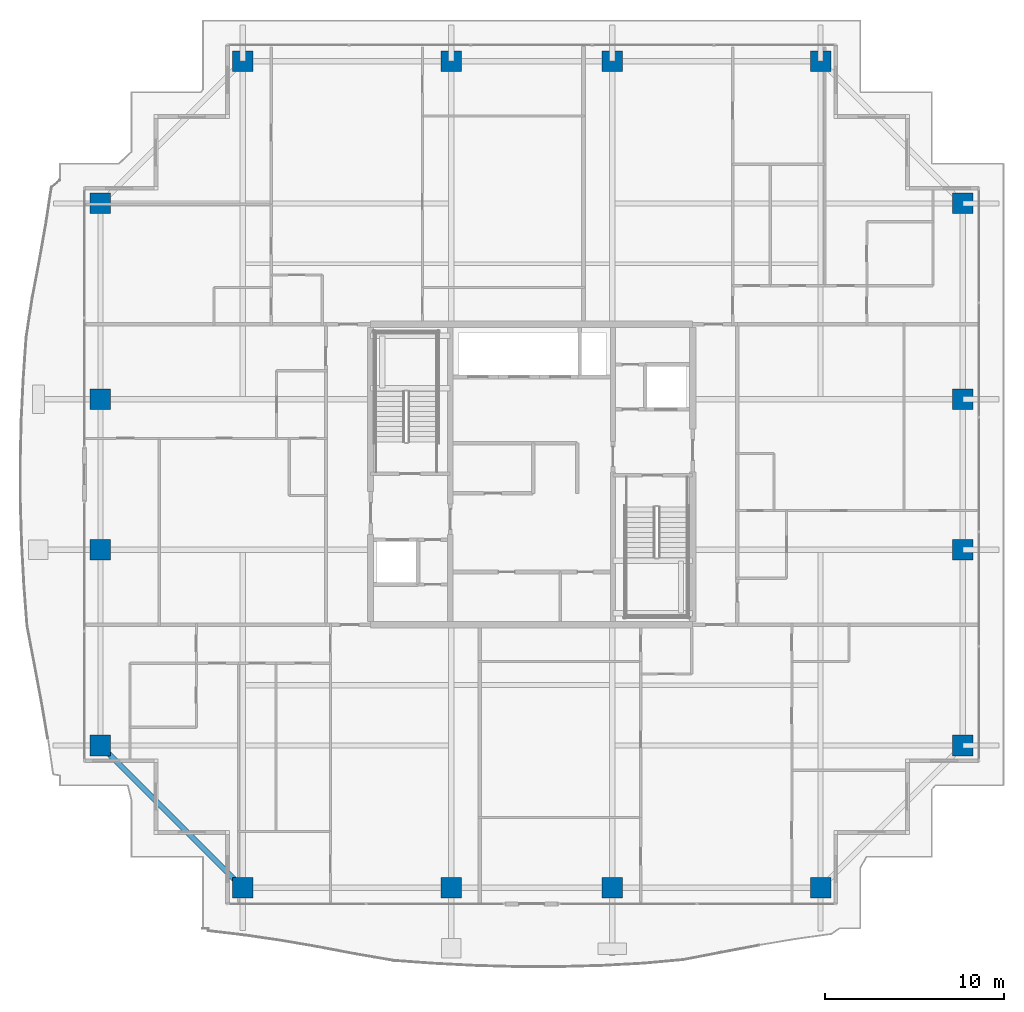
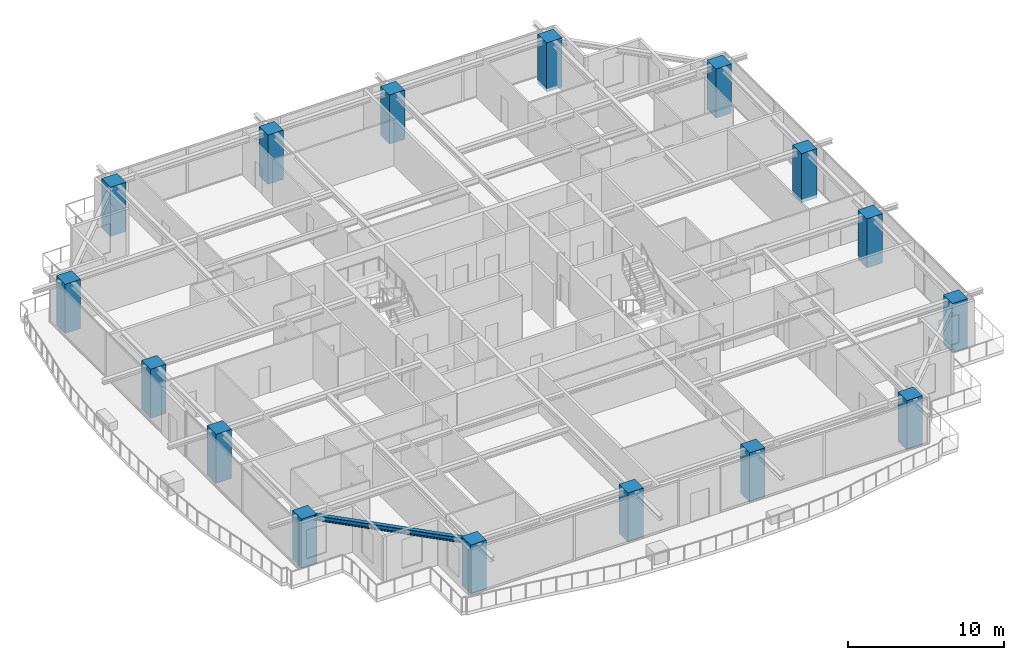
# One storey, part 1 of 35: 16 columns, 1 beam.
"""IFC4 building model written with IfcOpenShell, lengths in metres."""

from ifc_helpers import new_model, si_unit, direction, frame, origin, origin_2d, place, context, subcontext, project, spatial, rectangle, i_section, extrude, source, transform, mapped, material, material_profile, profile_set, type_object, element, save


model = new_model("IFC4")

# Units and contexts
model_context = context("Model", 3, precision=1e-05, world=origin(), true_north=direction((0.0, 1.0)))
body_context = subcontext(model_context, "Body", "Model", "MODEL_VIEW")
ifc_project = project(units=[si_unit("LENGTHUNIT", "METRE"), si_unit("AREAUNIT", "SQUARE_METRE"), si_unit("VOLUMEUNIT", "CUBIC_METRE"), si_unit("PLANEANGLEUNIT", "RADIAN"), si_unit("MASSUNIT", "GRAM", prefix="KILO")], contexts=[model_context])

# Site, building, storey
site_placement = place(None, origin())
site = spatial("IfcSite", under=ifc_project, at=site_placement, CompositionType="ELEMENT")
building_placement = place(site_placement, origin())
building = spatial("IfcBuilding", under=site, at=building_placement, Name="Serunith Strait Residences", CompositionType="ELEMENT")
storey_placement = place(building_placement, frame((0.0, 0.0, 214.300048828125)))
storey = spatial("IfcBuildingStorey", under=building, at=storey_placement, Name="L53", CompositionType="ELEMENT", Elevation=214.300048828125)

# Columns
ifc_material_1 = material(Name="Concrete C80/95", Category="concrete")
ifc_material_profile_1 = material_profile(ifc_material_1, rectangle(XDim=1.14990234375, YDim=1.14990234375, at=origin_2d()), Name="RC 1150x1150")
ifc_profile_set_1 = profile_set([ifc_material_profile_1], Name="Concrete C80/95")
column_type = type_object("IfcColumnType", Name="COL-RC-1150", PredefinedType="COLUMN", material=ifc_profile_set_1)
shared_shape_1 = source(origin(), body_context, "Body", "SweptSolid", [
    extrude(rectangle(XDim=1.14990234375, YDim=1.14990234375, at=origin_2d()), origin(), (0.0, 0.0, 1.0), 3.849853515625),
])
for number, where, z_axis, x_axis, name in (
    (1, (16.25, 2.10009765625, -0.260009765625), (0.0, 0.0, 1.0), (1.0, 0.0, 0.0), "L53 Tower Mega-Column TC-S1"),
    (2, (27.89990234375, 2.10009765625, -0.260009765625), (0.0, 0.0, 1.0), (1.0, 0.0, 0.0), "L53 Tower Mega-Column TC-S2"),
    (3, (36.89990234375, 2.10009765625, -0.260009765625), (0.0, 0.0, 1.0), (1.0, 0.0, 0.0), "L53 Tower Mega-Column TC-S3"),
    (4, (48.550048828125, 2.10009765625, -0.260009765625), (0.0, 0.0, 1.0), (1.0, 0.0, 0.0), "L53 Tower Mega-Column TC-S4"),
    (5, (16.25, 48.300048828125, -0.260009765625), (0.0, 0.0, 1.0), (1.0, 0.0, 0.0), "L53 Tower Mega-Column TC-N1"),
    (6, (27.89990234375, 48.300048828125, -0.260009765625), (0.0, 0.0, 1.0), (1.0, 0.0, 0.0), "L53 Tower Mega-Column TC-N2"),
    (7, (36.89990234375, 48.300048828125, -0.260009765625), (0.0, 0.0, 1.0), (1.0, 0.0, 0.0), "L53 Tower Mega-Column TC-N3"),
    (8, (48.550048828125, 48.300048828125, -0.260009765625), (0.0, 0.0, 1.0), (1.0, 0.0, 0.0), "L53 Tower Mega-Column TC-N4"),
    (9, (56.5, 10.050048828125, -0.260009765625), (0.0, 0.0, 1.0), (1.0, 0.0, 0.0), "L53 Tower Mega-Column TC-E1"),
    (10, (56.5, 21.0, -0.260009765625), (0.0, 0.0, 1.0), (1.0, 0.0, 0.0), "L53 Tower Mega-Column TC-E2"),
    (11, (56.5, 29.39990234375, -0.260009765625), (0.0, 0.0, 1.0), (1.0, 0.0, 0.0), "L53 Tower Mega-Column TC-E3"),
    (12, (56.5, 40.35009765625, -0.260009765625), (0.0, 0.0, 1.0), (1.0, 0.0, 0.0), "L53 Tower Mega-Column TC-E4"),
    (13, (8.300048828125, 10.050048828125, -0.260009765625), (0.0, 0.0, 1.0), (1.0, 0.0, 0.0), "L53 Tower Mega-Column TC-W1"),
    (14, (8.300048828125, 21.0, -0.260009765625), (0.0, 0.0, 1.0), (1.0, 0.0, 0.0), "L53 Tower Mega-Column TC-W2"),
    (15, (8.300048828125, 29.39990234375, -0.260009765625), (0.0, 0.0, 1.0), (1.0, 0.0, 0.0), "L53 Tower Mega-Column TC-W3"),
    (16, (8.300048828125, 40.35009765625, -0.260009765625), (0.0, 0.0, 1.0), (1.0, 0.0, 0.0), "L53 Tower Mega-Column TC-W4"),
):
    element("IfcColumn", number, at=place(storey_placement, frame(where, z_axis=z_axis, x_axis=x_axis)), inside=storey, type_object=column_type, Name=name, PredefinedType="COLUMN", context=body_context, shape_type="MappedRepresentation", body=[
        mapped(shared_shape_1, transform((0.0, 0.0, 0.0), scale=1.0)),
    ])

# Beam
ifc_material_2 = material(Name="Steel S355J2", Category="steel")
ifc_material_profile_2 = material_profile(ifc_material_2, i_section(OverallWidth=0.300048828125, OverallDepth=0.39990234375, WebThickness=0.013427734375, FlangeThickness=0.02392578125, FilletRadius=0.027099609375, at=origin_2d()), Name="HEB 400")
ifc_profile_set_2 = profile_set([ifc_material_profile_2], Name="Steel S355J2")
beam_type = type_object("IfcBeamType", Name="BM-HEB400", PredefinedType="BEAM", material=ifc_profile_set_2)
shared_shape_2 = source(origin(), body_context, "Body", "SweptSolid", [
    extrude(i_section(OverallWidth=0.300048828125, OverallDepth=0.39990234375, WebThickness=0.013427734375, FlangeThickness=0.02392578125, FilletRadius=0.027099609375, at=origin_2d()), origin(), (0.0, 0.0, 1.0), 11.242919921875),
])
beam_placement = place(storey_placement, frame((8.300048828125, 10.050048828125, 3.35693359375), z_axis=(0.707106781187, -0.707106781187, 0.0), x_axis=(0.707106781187, 0.707106781187, 0.0)))
element("IfcBeam", 17, at=beam_placement, inside=storey, type_object=beam_type, Name="L53 Perimeter Ring Beam 16", PredefinedType="BEAM", context=body_context, shape_type="MappedRepresentation", body=[
    mapped(shared_shape_2, transform((0.0, 0.0, 0.0), scale=1.0)),
])

save(model, "model.ifc")
